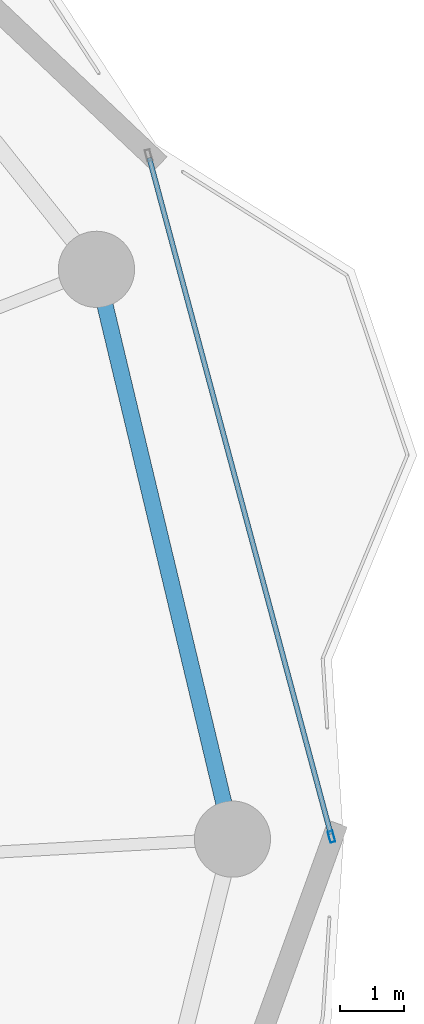
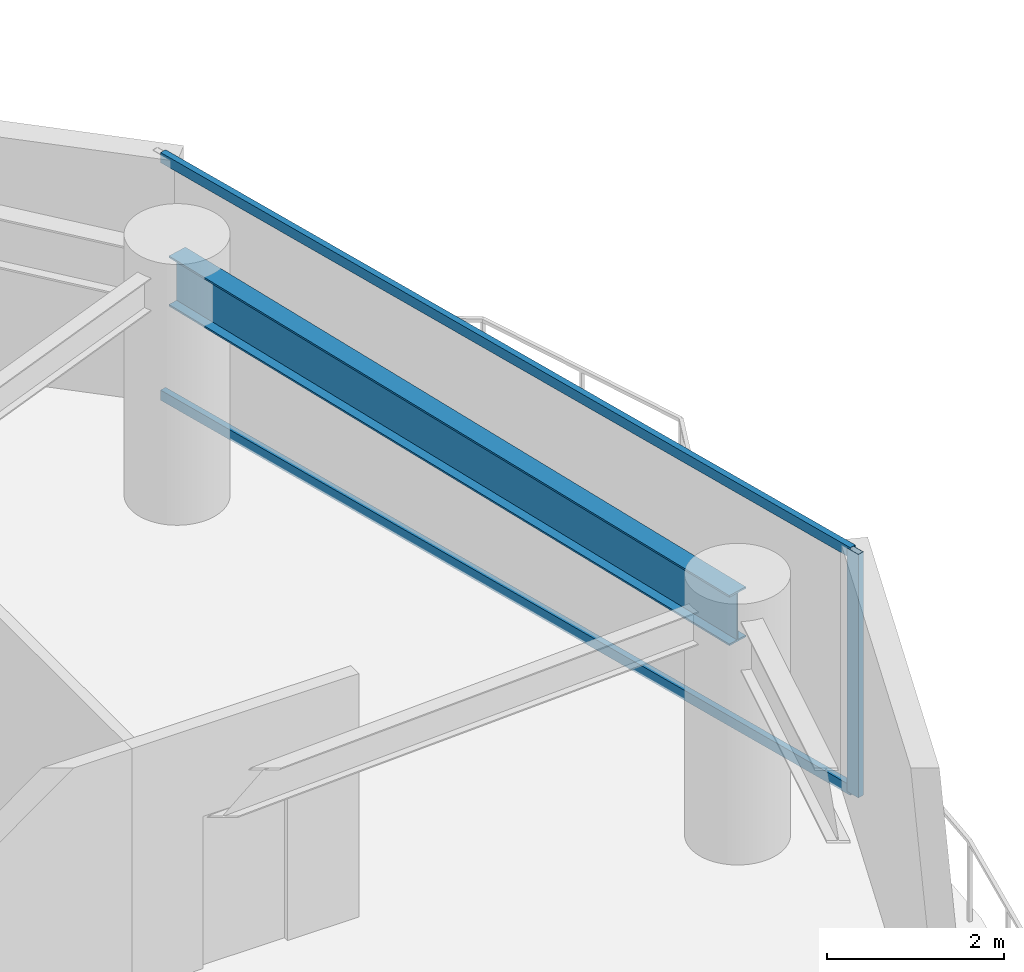
# One storey, part 15 of 28: 3 members, 1 beam, 1 element without a shape of its own.
"""IFC4 building model written with IfcOpenShell, lengths in metres."""

from ifc_helpers import new_model, si_unit, direction, frame, origin, origin_2d, place, context, subcontext, project, spatial, hollow_rectangle, i_section, extrude, material, layer, layer_set, material_profile, profile_set, type_object, element, aggregate, save


model = new_model("IFC4")

# Units and contexts
model_context = context("Model", 3, precision=1e-05, world=origin(), true_north=direction((0.0, 1.0)))
body_context = subcontext(model_context, "Body", "Model", "MODEL_VIEW")
ifc_project = project(units=[si_unit("LENGTHUNIT", "METRE"), si_unit("AREAUNIT", "SQUARE_METRE"), si_unit("VOLUMEUNIT", "CUBIC_METRE"), si_unit("PLANEANGLEUNIT", "RADIAN"), si_unit("MASSUNIT", "GRAM", prefix="KILO")], contexts=[model_context])

# Site, building, storey
site_placement = place(None, origin())
site = spatial("IfcSite", under=ifc_project, at=site_placement, CompositionType="ELEMENT")
building_placement = place(site_placement, origin())
building = spatial("IfcBuilding", under=site, at=building_placement, Name="Kazevale Care Tower and Concert Hall", CompositionType="ELEMENT")
storey_placement = place(building_placement, frame((0.0, 0.0, 106.199951171875)))
storey = spatial("IfcBuildingStorey", under=building, at=storey_placement, Name="L27", CompositionType="ELEMENT", Elevation=106.199951171875)

# Curtain wall, members
ifc_material_1 = material(Name="Aluminium 6063-T6 and Low-E Glass", Category="aluminium")
ifc_layer = layer(ifc_material_1, 0.179931640625)
ifc_layer_set = layer_set([ifc_layer], Name="Aluminium 6063-T6 and Low-E Glass")
curtain_wall_type = type_object("IfcCurtainWallType", Name="Waist & Upper Residential Curtain Wall CW-4", PredefinedType="NOTDEFINED", material=ifc_layer_set)
curtain_wall_placement = place(storey_placement, origin())
curtain_wall = element("IfcCurtainWall", 1, at=curtain_wall_placement, inside=storey, type_object=curtain_wall_type, Name="cw:L27:f18", PredefinedType="NOTDEFINED")
ifc_material_2 = material(Name="Aluminium 6063-T6", Category="aluminium")
ifc_material_profile_1 = material_profile(ifc_material_2, hollow_rectangle(XDim=0.080078125, YDim=0.179931640625, WallThickness=0.0048828125, at=origin_2d()), Name="ALU80x180x5")
ifc_profile_set_1 = profile_set([ifc_material_profile_1], Name="Aluminium 6063-T6")
member_type_1 = type_object("IfcMemberType", Name="CW-4 Mullion ALU80x180x5", PredefinedType="MULLION", material=ifc_profile_set_1)
member_1_placement = place(storey_placement, frame((74.609619140625, 38.03857421875, 0.0), z_axis=(0.0, 0.0, 1.0), x_axis=(0.965806263229, 0.259264848961, 0.0)))
member_1 = element("IfcMember", 2, at=member_1_placement, type_object=member_type_1, Name="CW-4 mullion 2", PredefinedType="MULLION", context=body_context, shape_type="SweptSolid", body=[
    extrude(hollow_rectangle(XDim=0.080078125, YDim=0.179931640625, WallThickness=0.0048828125, at=origin_2d()), origin(), (0.0, 0.0, 1.0), 3.360107421875),
])
ifc_material_profile_2 = material_profile(ifc_material_2, hollow_rectangle(XDim=0.080078125, YDim=0.139892578125, WallThickness=0.00390625, at=origin_2d()), Name="ALU80x140x4")
ifc_profile_set_2 = profile_set([ifc_material_profile_2], Name="Aluminium 6063-T6")
member_type_2 = type_object("IfcMemberType", Name="CW-4 Transom ALU80x140x4", PredefinedType="USERDEFINED", material=ifc_profile_set_2)
member_2_placement = place(storey_placement, frame((71.74072265625, 48.725830078125, 0.0400390625), z_axis=(0.259270636335, -0.965804709625, 0.0), x_axis=(0.965804709625, 0.259270636335, 0.0)))
member_2 = element("IfcMember", 3, at=member_2_placement, type_object=member_type_2, Name="CW-4 transom 1.1", ObjectType="TRANSOM", PredefinedType="USERDEFINED", context=body_context, shape_type="SweptSolid", body=[
    extrude(hollow_rectangle(XDim=0.080078125, YDim=0.139892578125, WallThickness=0.00390625, at=origin_2d()), origin(), (0.0, 0.0, 1.0), 11.025634765625),
])
member_3_placement = place(storey_placement, frame((71.74072265625, 48.725830078125, 3.320068359375), z_axis=(0.259270636335, -0.965804709625, 0.0), x_axis=(0.965804709625, 0.259270636335, 0.0)))
member_3 = element("IfcMember", 4, at=member_3_placement, type_object=member_type_2, Name="CW-4 transom 1.2", ObjectType="TRANSOM", PredefinedType="USERDEFINED", context=body_context, shape_type="SweptSolid", body=[
    extrude(hollow_rectangle(XDim=0.080078125, YDim=0.139892578125, WallThickness=0.00390625, at=origin_2d()), origin(), (0.0, 0.0, 1.0), 11.025634765625),
])
aggregate(curtain_wall, [member_1, member_2, member_3])

# Beam
ifc_material_3 = material(Name="Steel ASTM A572 Gr 50", Category="steel")
ifc_material_profile_3 = material_profile(ifc_material_3, i_section(OverallWidth=0.256103515625, OverallDepth=0.693115234375, WebThickness=0.014404296875, FlangeThickness=0.023681640625, at=origin_2d()), Name="W690x170")
ifc_profile_set_3 = profile_set([ifc_material_profile_3], Name="Steel ASTM A572 Gr 50")
beam_type = type_object("IfcBeamType", Name="Waist Ring Beam W690x170", PredefinedType="BEAM", material=ifc_profile_set_3)
beam_placement = place(storey_placement, frame((73.050048828125, 38.0, 3.013427734375), z_axis=(-0.232075055882, 0.972697881378, 0.0), x_axis=(-0.972697881378, -0.232075055882, 0.0)))
element("IfcBeam", 5, at=beam_placement, inside=storey, type_object=beam_type, Name="beam:L27:ring:01", PredefinedType="BEAM", context=body_context, shape_type="SweptSolid", body=[
    extrude(i_section(OverallWidth=0.256103515625, OverallDepth=0.693115234375, WebThickness=0.014404296875, FlangeThickness=0.023681640625, at=origin_2d()), origin(), (0.0, 0.0, 1.0), 9.2216796875),
])

save(model, "model.ifc")
